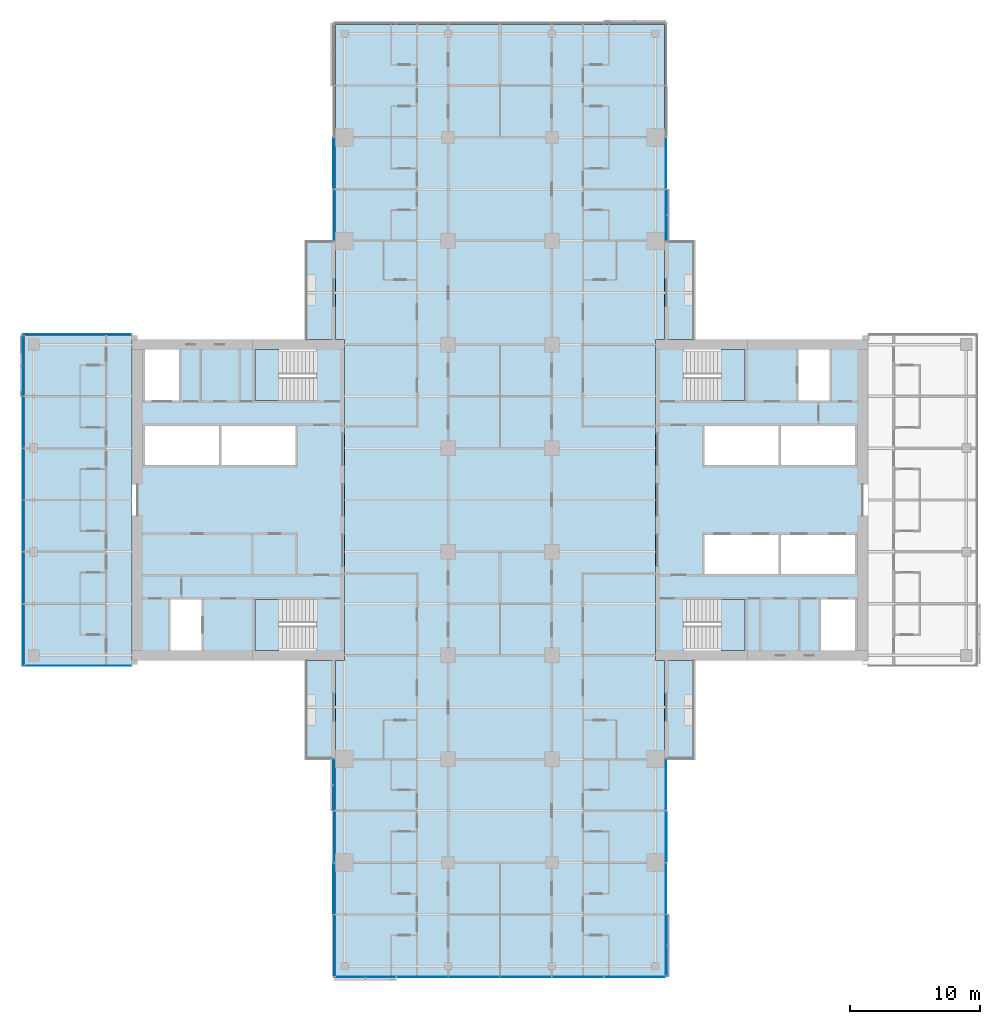
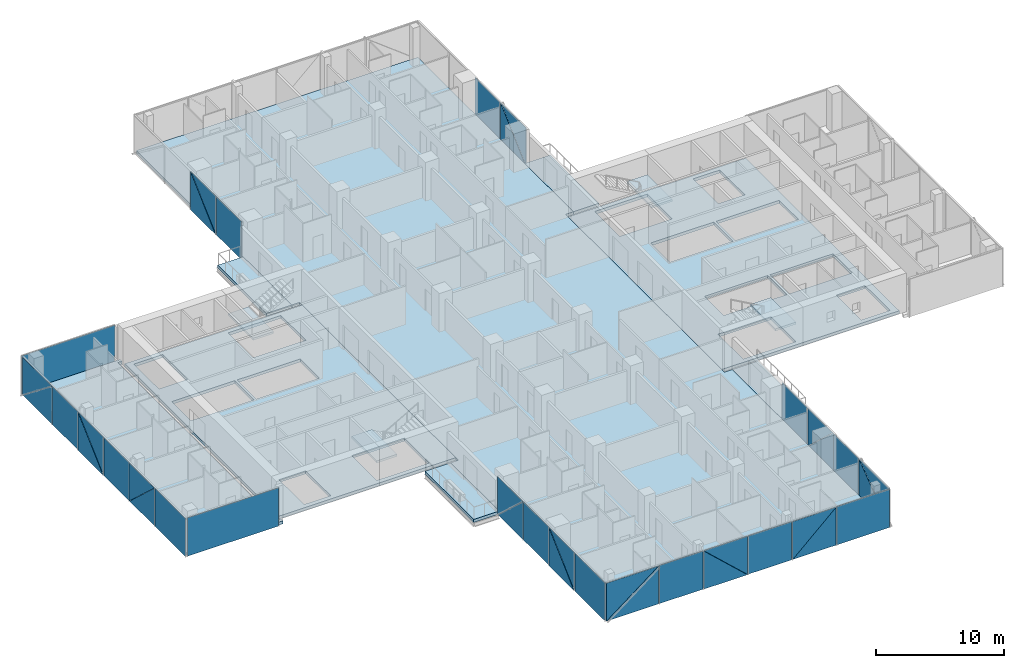
# One storey, part 13 of 29: 38 plates, 12 slabs, 12 elements without a shape of their own.
"""IFC4 building model written with IfcOpenShell, lengths in metres."""

from ifc_helpers import new_model, si_unit, direction, frame, origin, place, context, subcontext, project, spatial, polyline, outline, extrude, material, layer, layer_set, type_object, element, aggregate, save


model = new_model("IFC4")

# Units and contexts
model_context = context("Model", 3, precision=1e-05, world=origin(), true_north=direction((0.0, 1.0)))
body_context = subcontext(model_context, "Body", "Model", "MODEL_VIEW")
ifc_project = project(units=[si_unit("LENGTHUNIT", "METRE"), si_unit("AREAUNIT", "SQUARE_METRE"), si_unit("VOLUMEUNIT", "CUBIC_METRE"), si_unit("PLANEANGLEUNIT", "RADIAN"), si_unit("MASSUNIT", "GRAM", prefix="KILO")], contexts=[model_context])

# Site, building, storey
site_placement = place(None, origin())
site = spatial("IfcSite", under=ifc_project, at=site_placement, CompositionType="ELEMENT")
building_placement = place(site_placement, origin())
building = spatial("IfcBuilding", under=site, at=building_placement, Name="Crosswind Convention Tower", CompositionType="ELEMENT")
storey_placement = place(building_placement, frame((0.0, 0.0, 57.199951171875)))
storey = spatial("IfcBuildingStorey", under=building, at=storey_placement, Name="L08", CompositionType="ELEMENT", Elevation=57.199951171875)

# Slabs
ifc_material_1 = material(Name="Concrete C40/50", Category="concrete")
ifc_layer_1 = layer(ifc_material_1, 0.280029296875)
ifc_layer_set_1 = layer_set([ifc_layer_1], Name="Concrete C40/50")
slab_type_1 = type_object("IfcSlabType", Name="BALCONY SLAB 280", PredefinedType="USERDEFINED", material=ifc_layer_set_1)
slab_1_placement = place(storey_placement, frame((0.0, 0.0, -0.280029296875)))
element("IfcSlab", 1, at=slab_1_placement, inside=storey, type_object=slab_type_1, Name="BALCONY L08 N-E.1-1", ObjectType="BALCONY", PredefinedType="USERDEFINED", context=body_context, shape_type="SweptSolid", body=[
    extrude(outline(polyline([(137.699951171875, 112.39990234375), (137.699951171875, 120.0), (140.0, 120.0), (140.0, 112.39990234375), (137.699951171875, 112.39990234375)])), origin(), (0.0, 0.0, 1.0), 0.280029296875),
])
slab_2_placement = place(storey_placement, frame((0.0, 0.0, -0.280029296875)))
element("IfcSlab", 2, at=slab_2_placement, inside=storey, type_object=slab_type_1, Name="BALCONY L08 N-W.1-3", ObjectType="BALCONY", PredefinedType="USERDEFINED", context=body_context, shape_type="SweptSolid", body=[
    extrude(outline(polyline([(112.300048828125, 120.0), (112.300048828125, 112.39990234375), (110.0, 112.39990234375), (110.0, 120.0), (112.300048828125, 120.0)])), origin(), (0.0, 0.0, 1.0), 0.280029296875),
])
slab_3_placement = place(storey_placement, frame((0.0, 0.0, -0.280029296875)))
element("IfcSlab", 3, at=slab_3_placement, inside=storey, type_object=slab_type_1, Name="BALCONY L08 S-W.1-1", ObjectType="BALCONY", PredefinedType="USERDEFINED", context=body_context, shape_type="SweptSolid", body=[
    extrude(outline(polyline([(112.300048828125, 87.60009765625), (112.300048828125, 80.0), (110.0, 80.0), (110.0, 87.60009765625), (112.300048828125, 87.60009765625)])), origin(), (0.0, 0.0, 1.0), 0.280029296875),
])
slab_4_placement = place(storey_placement, frame((0.0, 0.0, -0.280029296875)))
element("IfcSlab", 4, at=slab_4_placement, inside=storey, type_object=slab_type_1, Name="BALCONY L08 S-E.1-3", ObjectType="BALCONY", PredefinedType="USERDEFINED", context=body_context, shape_type="SweptSolid", body=[
    extrude(outline(polyline([(137.699951171875, 80.0), (137.699951171875, 87.60009765625), (140.0, 87.60009765625), (140.0, 80.0), (137.699951171875, 80.0)])), origin(), (0.0, 0.0, 1.0), 0.280029296875),
])
ifc_layer_2 = layer(ifc_material_1, 0.280029296875)
ifc_layer_set_2 = layer_set([ifc_layer_2], Name="Concrete C40/50")
slab_type_2 = type_object("IfcSlabType", Name="Composite floor slab 280", PredefinedType="FLOOR", material=ifc_layer_set_2)
slab_5_placement = place(storey_placement, frame((0.0, 0.0, -0.280029296875)))
element("IfcSlab", 5, at=slab_5_placement, inside=storey, type_object=slab_type_2, Name="Floor slab L08 part 1", PredefinedType="FLOOR", context=body_context, shape_type="SweptSolid", body=[
    extrude(outline(polyline([(97.0, 87.300048828125), (89.0, 87.300048828125), (88.300048828125, 87.300048828125), (88.300048828125, 88.0), (88.300048828125, 112.0), (88.300048828125, 112.699951171875), (89.0, 112.699951171875), (97.0, 112.699951171875), (97.0, 112.39990234375), (96.60009765625, 112.39990234375), (96.60009765625, 87.60009765625), (97.0, 87.60009765625), (97.0, 87.300048828125)])), origin(), (0.0, 0.0, 1.0), 0.280029296875),
])
slab_6_placement = place(storey_placement, frame((0.0, 0.0, -0.280029296875)))
element("IfcSlab", 6, at=slab_6_placement, inside=storey, type_object=slab_type_2, Name="Floor slab L08 part 2", PredefinedType="FLOOR", context=body_context, shape_type="SweptSolid", body=[
    extrude(outline(polyline([(112.300048828125, 87.60009765625), (113.0, 87.60009765625), (113.0, 112.39990234375), (112.300048828125, 112.39990234375), (112.300048828125, 136.0), (112.300048828125, 136.699951171875), (113.0, 136.699951171875), (137.0, 136.699951171875), (137.699951171875, 136.699951171875), (137.699951171875, 136.0), (137.699951171875, 112.39990234375), (137.0, 112.39990234375), (137.0, 87.60009765625), (137.699951171875, 87.60009765625), (137.699951171875, 64.0), (137.699951171875, 63.300048828125), (137.0, 63.300048828125), (113.0, 63.300048828125), (112.300048828125, 63.300048828125), (112.300048828125, 64.0), (112.300048828125, 87.60009765625)])), origin(), (0.0, 0.0, 1.0), 0.280029296875),
])
ifc_layer_3 = layer(ifc_material_1, 0.280029296875)
ifc_layer_set_3 = layer_set([ifc_layer_3], Name="Concrete C40/50")
slab_type_3 = type_object("IfcSlabType", Name="Concrete core floor slab 280", PredefinedType="FLOOR", material=ifc_layer_set_3)
slab_7_placement = place(storey_placement, frame((0.0, 0.0, -0.280029296875)))
element("IfcSlab", 7, at=slab_7_placement, inside=storey, type_object=slab_type_3, Name="Core floor slab E L08", PredefinedType="FLOOR", context=body_context, shape_type="SweptSolid", body=[
    extrude(outline(polyline([(137.0, 88.0), (153.0, 88.0), (153.0, 112.0), (137.0, 112.0), (137.0, 88.0)]), holes=[polyline([(146.5, 102.699951171875), (146.5, 105.699951171875), (140.800048828125, 105.699951171875), (140.800048828125, 102.699951171875), (146.5, 102.699951171875)]), polyline([(152.39990234375, 102.699951171875), (152.39990234375, 105.699951171875), (146.699951171875, 105.699951171875), (146.699951171875, 102.699951171875), (152.39990234375, 102.699951171875)]), polyline([(146.5, 94.300048828125), (146.5, 97.300048828125), (140.800048828125, 97.300048828125), (140.800048828125, 94.300048828125), (146.5, 94.300048828125)]), polyline([(152.39990234375, 94.300048828125), (152.39990234375, 97.300048828125), (146.699951171875, 97.300048828125), (146.699951171875, 94.300048828125), (152.39990234375, 94.300048828125)]), polyline([(150.449951171875, 107.699951171875), (150.449951171875, 111.60009765625), (148.050048828125, 111.60009765625), (148.050048828125, 107.699951171875), (150.449951171875, 107.699951171875)]), polyline([(152.39990234375, 88.39990234375), (152.39990234375, 92.300048828125), (149.800048828125, 92.300048828125), (149.800048828125, 88.39990234375), (152.39990234375, 88.39990234375)]), polyline([(143.89990234375, 107.699951171875), (143.89990234375, 111.60009765625), (139.14990234375, 111.60009765625), (139.14990234375, 107.699951171875), (143.89990234375, 107.699951171875)]), polyline([(143.89990234375, 88.39990234375), (143.89990234375, 92.300048828125), (139.14990234375, 92.300048828125), (139.14990234375, 88.39990234375), (143.89990234375, 88.39990234375)])]), origin(), (0.0, 0.0, 1.0), 0.280029296875),
])
slab_8_placement = place(storey_placement, frame((0.0, 0.0, -0.280029296875)))
element("IfcSlab", 8, at=slab_8_placement, inside=storey, type_object=slab_type_3, Name="Core floor slab W L08", PredefinedType="FLOOR", context=body_context, shape_type="SweptSolid", body=[
    extrude(outline(polyline([(97.0, 88.0), (113.0, 88.0), (113.0, 112.0), (97.0, 112.0), (97.0, 88.0)]), holes=[polyline([(109.199951171875, 102.699951171875), (109.199951171875, 105.699951171875), (103.5, 105.699951171875), (103.5, 102.699951171875), (109.199951171875, 102.699951171875)]), polyline([(103.300048828125, 102.699951171875), (103.300048828125, 105.699951171875), (97.60009765625, 105.699951171875), (97.60009765625, 102.699951171875), (103.300048828125, 102.699951171875)]), polyline([(101.949951171875, 88.39990234375), (101.949951171875, 92.300048828125), (99.550048828125, 92.300048828125), (99.550048828125, 88.39990234375), (101.949951171875, 88.39990234375)]), polyline([(100.199951171875, 107.699951171875), (100.199951171875, 111.60009765625), (97.60009765625, 111.60009765625), (97.60009765625, 107.699951171875), (100.199951171875, 107.699951171875)]), polyline([(110.85009765625, 88.39990234375), (110.85009765625, 92.300048828125), (106.10009765625, 92.300048828125), (106.10009765625, 88.39990234375), (110.85009765625, 88.39990234375)]), polyline([(110.85009765625, 107.699951171875), (110.85009765625, 111.60009765625), (106.10009765625, 111.60009765625), (106.10009765625, 107.699951171875), (110.85009765625, 107.699951171875)])]), origin(), (0.0, 0.0, 1.0), 0.280029296875),
])

# Stair, slab
stair_type = type_object("IfcStairType", Name="Exit stair 1800 wide, 2 flights of 11 risers", PredefinedType="HALF_TURN_STAIR", material=ifc_material_1)
stair_1_placement = place(storey_placement, origin())
stair_1 = element("IfcStair", 9, at=stair_1_placement, inside=storey, type_object=stair_type, Name="Exit stair ST1 L08", ObjectType="ST5", PredefinedType="HALF_TURN_STAIR")
ifc_layer_4 = layer(ifc_material_1, 0.199951171875)
ifc_layer_set_4 = layer_set([ifc_layer_4], Name="Concrete C40/50")
slab_type_4 = type_object("IfcSlabType", Name="Stair landing 200", PredefinedType="LANDING", material=ifc_layer_set_4)
slab_9_placement = place(storey_placement, frame((0.0, 0.0, 1.650146484375)))
slab_9 = element("IfcSlab", 10, at=slab_9_placement, type_object=slab_type_4, Name="ST1 landing 1", PredefinedType="LANDING", context=body_context, shape_type="SweptSolid", body=[
    extrude(outline(polyline([(143.89990234375, 107.699951171875), (143.89990234375, 111.60009765625), (142.050048828125, 111.60009765625), (142.050048828125, 107.699951171875), (143.89990234375, 107.699951171875)])), origin(), (0.0, 0.0, 1.0), 0.199951171875),
])
aggregate(stair_1, [slab_9])

stair_2_placement = place(storey_placement, origin())
stair_2 = element("IfcStair", 11, at=stair_2_placement, inside=storey, type_object=stair_type, Name="Exit stair ST2 L08", ObjectType="ST5", PredefinedType="HALF_TURN_STAIR")
slab_10_placement = place(storey_placement, frame((0.0, 0.0, 1.650146484375)))
slab_10 = element("IfcSlab", 12, at=slab_10_placement, type_object=slab_type_4, Name="ST2 landing 1", PredefinedType="LANDING", context=body_context, shape_type="SweptSolid", body=[
    extrude(outline(polyline([(143.89990234375, 88.39990234375), (143.89990234375, 92.300048828125), (142.050048828125, 92.300048828125), (142.050048828125, 88.39990234375), (143.89990234375, 88.39990234375)])), origin(), (0.0, 0.0, 1.0), 0.199951171875),
])
aggregate(stair_2, [slab_10])

stair_3_placement = place(storey_placement, origin())
stair_3 = element("IfcStair", 13, at=stair_3_placement, inside=storey, type_object=stair_type, Name="Exit stair ST3 L08", ObjectType="ST5", PredefinedType="HALF_TURN_STAIR")
slab_11_placement = place(storey_placement, frame((0.0, 0.0, 1.650146484375)))
slab_11 = element("IfcSlab", 14, at=slab_11_placement, type_object=slab_type_4, Name="ST3 landing 1", PredefinedType="LANDING", context=body_context, shape_type="SweptSolid", body=[
    extrude(outline(polyline([(107.949951171875, 88.39990234375), (107.949951171875, 92.300048828125), (106.10009765625, 92.300048828125), (106.10009765625, 88.39990234375), (107.949951171875, 88.39990234375)])), origin(), (0.0, 0.0, 1.0), 0.199951171875),
])
aggregate(stair_3, [slab_11])

stair_4_placement = place(storey_placement, origin())
stair_4 = element("IfcStair", 15, at=stair_4_placement, inside=storey, type_object=stair_type, Name="Exit stair ST4 L08", ObjectType="ST5", PredefinedType="HALF_TURN_STAIR")
slab_12_placement = place(storey_placement, frame((0.0, 0.0, 1.650146484375)))
slab_12 = element("IfcSlab", 16, at=slab_12_placement, type_object=slab_type_4, Name="ST4 landing 1", PredefinedType="LANDING", context=body_context, shape_type="SweptSolid", body=[
    extrude(outline(polyline([(107.949951171875, 107.699951171875), (107.949951171875, 111.60009765625), (106.10009765625, 111.60009765625), (106.10009765625, 107.699951171875), (107.949951171875, 107.699951171875)])), origin(), (0.0, 0.0, 1.0), 0.199951171875),
])
aggregate(stair_4, [slab_12])

# Curtain wall, plate
ifc_material_2 = material(Name="Aluminium unitised curtain wall", Category="aluminium")
curtain_wall_type_1 = type_object("IfcCurtainWallType", Name="CORE END SLOT WALL 160", PredefinedType="USERDEFINED", material=ifc_material_2)
curtain_wall_1_placement = place(storey_placement, origin())
curtain_wall_1 = element("IfcCurtainWall", 17, at=curtain_wall_1_placement, inside=storey, type_object=curtain_wall_type_1, Name="CW6 L08 W-N.2-1 slot", ObjectType="UNITISED", PredefinedType="USERDEFINED")
ifc_material_3 = material(Name="Laminated insulating glass unit", Category="glass")
ifc_layer_5 = layer(ifc_material_3, 0.02587890625)
ifc_layer_set_5 = layer_set([ifc_layer_5], Name="TRIANGULAR GLASS PANEL 26")
plate_type_1 = type_object("IfcPlateType", Name="TRIANGULAR GLASS PANEL 26", PredefinedType="CURTAIN_PANEL", material=ifc_layer_set_5)
plate_1_placement = place(storey_placement, frame((96.550048828125, 112.806640625, -0.280029296875), z_axis=(0.0, 0.999999919475, 0.000401310917), x_axis=(-1.0, 0.0, 0.0)))
plate_1 = element("IfcPlate", 18, at=plate_1_placement, type_object=plate_type_1, Name="CW6 panel 1.1", PredefinedType="CURTAIN_PANEL", context=body_context, shape_type="SweptSolid", body=[
    extrude(outline(polyline([(0.0, 0.0), (8.400146484375, 0.0), (8.400146484375, 3.6501467783039057), (0.0, 3.6501467783039057), (0.0, 0.0)])), origin(), (0.0, 0.0, -1.0), 0.02587890625),
])
aggregate(curtain_wall_1, [plate_1])

curtain_wall_2_placement = place(storey_placement, origin())
curtain_wall_2 = element("IfcCurtainWall", 19, at=curtain_wall_2_placement, inside=storey, type_object=curtain_wall_type_1, Name="CW6 L08 W-S.1-1 slot", ObjectType="UNITISED", PredefinedType="USERDEFINED")
plate_2_placement = place(storey_placement, frame((88.35009765625, 87.193359375, -0.280029296875), z_axis=(0.0, -0.999999919475, 0.000401310917), x_axis=(1.0, 0.0, 0.0)))
plate_2 = element("IfcPlate", 20, at=plate_2_placement, type_object=plate_type_1, Name="CW6 panel 1.1", PredefinedType="CURTAIN_PANEL", context=body_context, shape_type="SweptSolid", body=[
    extrude(outline(polyline([(0.0, 0.0), (8.199951171875, 0.0), (8.199951171875, 3.650146778303906), (0.0, 3.650146778303906), (0.0, 0.0)])), origin(), (0.0, 0.0, -1.0), 0.02587890625),
])
aggregate(curtain_wall_2, [plate_2])

# Curtain wall, plates
curtain_wall_type_2 = type_object("IfcCurtainWallType", Name="HOTEL UNITISED WALL 200", PredefinedType="USERDEFINED", material=ifc_material_2)
curtain_wall_3_placement = place(storey_placement, origin())
curtain_wall_3 = element("IfcCurtainWall", 21, at=curtain_wall_3_placement, inside=storey, type_object=curtain_wall_type_2, Name="CW2 L08 N-E 1", ObjectType="UNITISED", PredefinedType="USERDEFINED")
ifc_layer_6 = layer(ifc_material_3, 0.028076171875)
ifc_layer_set_6 = layer_set([ifc_layer_6], Name="TRIANGULAR GLASS PANEL 28")
plate_type_2 = type_object("IfcPlateType", Name="TRIANGULAR GLASS PANEL 28", PredefinedType="CURTAIN_PANEL", material=ifc_layer_set_6)
plate_3_placement = place(storey_placement, frame((137.82861328125, 123.967529296875, -0.280029296875), z_axis=(0.999999943194, 0.0, 0.000337063484), x_axis=(-0.000337063484, 0.0, 0.999999943194)))
plate_3 = element("IfcPlate", 22, at=plate_3_placement, type_object=plate_type_2, Name="CW2 panel 1.1", PredefinedType="CURTAIN_PANEL", context=body_context, shape_type="SweptSolid", body=[
    extrude(outline(polyline([(0.0, 0.0), (3.62158223697723, 0.0), (0.0, 3.920410156250001), (0.0, 0.0)])), origin(), (0.0, 0.0, -1.0), 0.028076171875),
])
plate_4_placement = place(storey_placement, frame((137.857177734375, 120.032470703125, 3.35498046875), z_axis=(0.999999918188, 0.0, 0.000404503439), x_axis=(0.000404503439, 0.0, -0.999999918188)))
plate_4 = element("IfcPlate", 23, at=plate_4_placement, type_object=plate_type_2, Name="CW2 panel 1.2", PredefinedType="CURTAIN_PANEL", context=body_context, shape_type="SweptSolid", body=[
    extrude(outline(polyline([(0.0, 0.0), (3.6213381868921797, 0.0), (0.0, 3.92041015625), (0.0, 0.0)])), origin(), (0.0, 0.0, -1.0), 0.028076171875),
])
plate_5_placement = place(storey_placement, frame((137.82861328125, 124.032470703125, -0.280029296875), z_axis=(0.999999943613, 0.0, 0.00033581837), x_axis=(0.0, 1.0, 0.0)))
plate_5 = element("IfcPlate", 24, at=plate_5_placement, type_object=plate_type_2, Name="CW2 panel 2.1", PredefinedType="CURTAIN_PANEL", context=body_context, shape_type="SweptSolid", body=[
    extrude(outline(polyline([(0.0, 0.0), (3.93505859375, 0.0), (3.93505859375, 3.635009970592273), (0.0, 3.635009970592273), (0.0, 0.0)])), origin(), (0.0, 0.0, -1.0), 0.028076171875),
])
aggregate(curtain_wall_3, [plate_3, plate_4, plate_5])

curtain_wall_4_placement = place(storey_placement, origin())
curtain_wall_4 = element("IfcCurtainWall", 25, at=curtain_wall_4_placement, inside=storey, type_object=curtain_wall_type_2, Name="CW2 L08 N-W 1", ObjectType="UNITISED", PredefinedType="USERDEFINED")
plate_6_placement = place(storey_placement, frame((112.172607421875, 124.032470703125, 3.35498046875), z_axis=(-0.999999943186, 0.0, 0.000337086208), x_axis=(0.0, 1.0, 0.0)))
plate_6 = element("IfcPlate", 26, at=plate_6_placement, type_object=plate_type_2, Name="CW2 panel 3.1", PredefinedType="CURTAIN_PANEL", context=body_context, shape_type="SweptSolid", body=[
    extrude(outline(polyline([(0.0, 0.0), (3.92041015625, 0.0), (0.0, 3.6213380963660997), (0.0, 0.0)])), origin(), (0.0, 0.0, -1.0), 0.028076171875),
])
plate_7_placement = place(storey_placement, frame((112.141357421875, 127.967529296875, -0.280029296875), z_axis=(-0.9999999182, 0.0, 0.00040447617), x_axis=(0.0, -1.0, 0.0)))
plate_7 = element("IfcPlate", 27, at=plate_7_placement, type_object=plate_type_2, Name="CW2 panel 3.2", PredefinedType="CURTAIN_PANEL", context=body_context, shape_type="SweptSolid", body=[
    extrude(outline(polyline([(0.0, 0.0), (3.92041015625, 0.0), (0.0, 3.621582327497207), (0.0, 0.0)])), origin(), (0.0, 0.0, -1.0), 0.028076171875),
])
plate_8_placement = place(storey_placement, frame((112.17138671875, 123.967529296875, -0.280029296875), z_axis=(-0.999999943613, 0.0, 0.00033581837), x_axis=(0.0, -1.0, 0.0)))
plate_8 = element("IfcPlate", 28, at=plate_8_placement, type_object=plate_type_2, Name="CW2 panel 4.1", PredefinedType="CURTAIN_PANEL", context=body_context, shape_type="SweptSolid", body=[
    extrude(outline(polyline([(0.0, 0.0), (3.93505859375, 0.0), (3.93505859375, 3.635009970592273), (0.0, 3.635009970592273), (0.0, 0.0)])), origin(), (0.0, 0.0, -1.0), 0.028076171875),
])
aggregate(curtain_wall_4, [plate_6, plate_7, plate_8])

curtain_wall_5_placement = place(storey_placement, origin())
curtain_wall_5 = element("IfcCurtainWall", 29, at=curtain_wall_5_placement, inside=storey, type_object=curtain_wall_type_2, Name="CW2 L08 W-TIP 1", ObjectType="UNITISED", PredefinedType="USERDEFINED")
plate_9_placement = place(storey_placement, frame((88.17138671875, 108.032470703125, -0.280029296875), z_axis=(-0.999999943217, 0.0, 0.00033699533), x_axis=(0.00033699533, 0.0, 0.999999943217)))
plate_9 = element("IfcPlate", 30, at=plate_9_placement, type_object=plate_type_2, Name="CW2 panel 1.1", PredefinedType="CURTAIN_PANEL", context=body_context, shape_type="SweptSolid", body=[
    extrude(outline(polyline([(0.0, 0.0), (3.6223146588106325, 0.0), (0.0, 4.58642578125), (0.0, 0.0)])), origin(), (0.0, 0.0, -1.0), 0.028076171875),
])
plate_10_placement = place(storey_placement, frame((88.142822265625, 112.635009765625, 3.35498046875), z_axis=(-0.999999918222, 0.0, 0.000404421644), x_axis=(-0.000404421644, 0.0, -0.999999918222)))
plate_10 = element("IfcPlate", 31, at=plate_10_placement, type_object=plate_type_2, Name="CW2 panel 1.2", PredefinedType="CURTAIN_PANEL", context=body_context, shape_type="SweptSolid", body=[
    extrude(outline(polyline([(0.0, 0.0), (3.6220706087072707, 0.0), (0.0, 4.586425781249999), (0.0, 0.0)])), origin(), (0.0, 0.0, -1.0), 0.028076171875),
])
plate_11_placement = place(storey_placement, frame((88.17138671875, 107.967529296875, -0.280029296875), z_axis=(-0.999999943613, 0.0, 0.00033581837), x_axis=(0.0, -1.0, 0.0)))
plate_11 = element("IfcPlate", 32, at=plate_11_placement, type_object=plate_type_2, Name="CW2 panel 2.1", PredefinedType="CURTAIN_PANEL", context=body_context, shape_type="SweptSolid", body=[
    extrude(outline(polyline([(0.0, 0.0), (3.93505859375, 0.0), (3.93505859375, 3.635009970592273), (0.0, 3.635009970592273), (0.0, 0.0)])), origin(), (0.0, 0.0, -1.0), 0.028076171875),
])
plate_12_placement = place(storey_placement, frame((88.172607421875, 100.032470703125, 3.35498046875), z_axis=(-0.999999943186, 0.0, 0.000337086208), x_axis=(0.0, 1.0, 0.0)))
plate_12 = element("IfcPlate", 33, at=plate_12_placement, type_object=plate_type_2, Name="CW2 panel 3.1", PredefinedType="CURTAIN_PANEL", context=body_context, shape_type="SweptSolid", body=[
    extrude(outline(polyline([(0.0, 0.0), (3.92041015625, 0.0), (0.0, 3.6213380963660997), (0.0, 0.0)])), origin(), (0.0, 0.0, -1.0), 0.028076171875),
])
plate_13_placement = place(storey_placement, frame((88.141357421875, 103.967529296875, -0.280029296875), z_axis=(-0.9999999182, 0.0, 0.00040447617), x_axis=(0.0, -1.0, 0.0)))
plate_13 = element("IfcPlate", 34, at=plate_13_placement, type_object=plate_type_2, Name="CW2 panel 3.2", PredefinedType="CURTAIN_PANEL", context=body_context, shape_type="SweptSolid", body=[
    extrude(outline(polyline([(0.0, 0.0), (3.92041015625, 0.0), (0.0, 3.621582327497207), (0.0, 0.0)])), origin(), (0.0, 0.0, -1.0), 0.028076171875),
])
plate_14_placement = place(storey_placement, frame((88.17138671875, 99.967529296875, -0.280029296875), z_axis=(-0.999999943613, 0.0, 0.00033581837), x_axis=(0.0, -1.0, 0.0)))
plate_14 = element("IfcPlate", 35, at=plate_14_placement, type_object=plate_type_2, Name="CW2 panel 4.1", PredefinedType="CURTAIN_PANEL", context=body_context, shape_type="SweptSolid", body=[
    extrude(outline(polyline([(0.0, 0.0), (3.93505859375, 0.0), (3.93505859375, 3.635009970592273), (0.0, 3.635009970592273), (0.0, 0.0)])), origin(), (0.0, 0.0, -1.0), 0.028076171875),
])
plate_15_placement = place(storey_placement, frame((88.17138671875, 92.032470703125, -0.280029296875), z_axis=(-0.999999943194, 0.0, 0.000337063484), x_axis=(0.000337063484, 0.0, 0.999999943194)))
plate_15 = element("IfcPlate", 36, at=plate_15_placement, type_object=plate_type_2, Name="CW2 panel 5.1", PredefinedType="CURTAIN_PANEL", context=body_context, shape_type="SweptSolid", body=[
    extrude(outline(polyline([(0.0, 0.0), (3.62158223697723, 0.0), (0.0, 3.920410156250001), (0.0, 0.0)])), origin(), (0.0, 0.0, -1.0), 0.028076171875),
])
plate_16_placement = place(storey_placement, frame((88.142822265625, 95.967529296875, 3.35498046875), z_axis=(-0.999999918188, 0.0, 0.000404503439), x_axis=(-0.000404503439, 0.0, -0.999999918188)))
plate_16 = element("IfcPlate", 37, at=plate_16_placement, type_object=plate_type_2, Name="CW2 panel 5.2", PredefinedType="CURTAIN_PANEL", context=body_context, shape_type="SweptSolid", body=[
    extrude(outline(polyline([(0.0, 0.0), (3.6213381868921797, 0.0), (0.0, 3.92041015625), (0.0, 0.0)])), origin(), (0.0, 0.0, -1.0), 0.028076171875),
])
plate_17_placement = place(storey_placement, frame((88.17138671875, 91.967529296875, -0.280029296875), z_axis=(-0.999999943613, 0.0, 0.00033581837), x_axis=(0.0, -1.0, 0.0)))
plate_17 = element("IfcPlate", 38, at=plate_17_placement, type_object=plate_type_2, Name="CW2 panel 6.1", PredefinedType="CURTAIN_PANEL", context=body_context, shape_type="SweptSolid", body=[
    extrude(outline(polyline([(0.0, 0.0), (4.762451171875, 0.0), (4.762451171875, 3.635009970592273), (0.0, 3.635009970592273), (0.0, 0.0)])), origin(), (0.0, 0.0, -1.0), 0.028076171875),
])
aggregate(curtain_wall_5, [plate_9, plate_10, plate_11, plate_12, plate_13, plate_14, plate_15, plate_16, plate_17])

curtain_wall_6_placement = place(storey_placement, origin())
curtain_wall_6 = element("IfcCurtainWall", 39, at=curtain_wall_6_placement, inside=storey, type_object=curtain_wall_type_2, Name="CW2 L08 S-W 1", ObjectType="UNITISED", PredefinedType="USERDEFINED")
plate_18_placement = place(storey_placement, frame((112.17138671875, 76.032470703125, -0.280029296875), z_axis=(-0.999999943194, 0.0, 0.000337063484), x_axis=(0.000337063484, 0.0, 0.999999943194)))
plate_18 = element("IfcPlate", 40, at=plate_18_placement, type_object=plate_type_2, Name="CW2 panel 1.1", PredefinedType="CURTAIN_PANEL", context=body_context, shape_type="SweptSolid", body=[
    extrude(outline(polyline([(0.0, 0.0), (3.62158223697723, 0.0), (0.0, 3.920410156250001), (0.0, 0.0)])), origin(), (0.0, 0.0, -1.0), 0.028076171875),
])
plate_19_placement = place(storey_placement, frame((112.142822265625, 79.967529296875, 3.35498046875), z_axis=(-0.999999918188, 0.0, 0.000404503439), x_axis=(-0.000404503439, 0.0, -0.999999918188)))
plate_19 = element("IfcPlate", 41, at=plate_19_placement, type_object=plate_type_2, Name="CW2 panel 1.2", PredefinedType="CURTAIN_PANEL", context=body_context, shape_type="SweptSolid", body=[
    extrude(outline(polyline([(0.0, 0.0), (3.6213381868921797, 0.0), (0.0, 3.92041015625), (0.0, 0.0)])), origin(), (0.0, 0.0, -1.0), 0.028076171875),
])
plate_20_placement = place(storey_placement, frame((112.17138671875, 75.967529296875, -0.280029296875), z_axis=(-0.999999943613, 0.0, 0.00033581837), x_axis=(0.0, -1.0, 0.0)))
plate_20 = element("IfcPlate", 42, at=plate_20_placement, type_object=plate_type_2, Name="CW2 panel 2.1", PredefinedType="CURTAIN_PANEL", context=body_context, shape_type="SweptSolid", body=[
    extrude(outline(polyline([(0.0, 0.0), (3.93505859375, 0.0), (3.93505859375, 3.635009970592273), (0.0, 3.635009970592273), (0.0, 0.0)])), origin(), (0.0, 0.0, -1.0), 0.028076171875),
])
plate_21_placement = place(storey_placement, frame((112.172607421875, 68.032470703125, 3.35498046875), z_axis=(-0.999999943186, 0.0, 0.000337086208), x_axis=(0.0, 1.0, 0.0)))
plate_21 = element("IfcPlate", 43, at=plate_21_placement, type_object=plate_type_2, Name="CW2 panel 3.1", PredefinedType="CURTAIN_PANEL", context=body_context, shape_type="SweptSolid", body=[
    extrude(outline(polyline([(0.0, 0.0), (3.92041015625, 0.0), (0.0, 3.6213380963660997), (0.0, 0.0)])), origin(), (0.0, 0.0, -1.0), 0.028076171875),
])
plate_22_placement = place(storey_placement, frame((112.141357421875, 71.967529296875, -0.280029296875), z_axis=(-0.9999999182, 0.0, 0.00040447617), x_axis=(0.0, -1.0, 0.0)))
plate_22 = element("IfcPlate", 44, at=plate_22_placement, type_object=plate_type_2, Name="CW2 panel 3.2", PredefinedType="CURTAIN_PANEL", context=body_context, shape_type="SweptSolid", body=[
    extrude(outline(polyline([(0.0, 0.0), (3.92041015625, 0.0), (0.0, 3.621582327497207), (0.0, 0.0)])), origin(), (0.0, 0.0, -1.0), 0.028076171875),
])
plate_23_placement = place(storey_placement, frame((112.17138671875, 67.967529296875, -0.280029296875), z_axis=(-0.999999943613, 0.0, 0.00033581837), x_axis=(0.0, -1.0, 0.0)))
plate_23 = element("IfcPlate", 45, at=plate_23_placement, type_object=plate_type_2, Name="CW2 panel 4.1", PredefinedType="CURTAIN_PANEL", context=body_context, shape_type="SweptSolid", body=[
    extrude(outline(polyline([(0.0, 0.0), (4.735107421875, 0.0), (4.735107421875, 3.6350099705922725), (0.0, 3.6350099705922725), (0.0, 0.0)])), origin(), (0.0, 0.0, -1.0), 0.028076171875),
])
aggregate(curtain_wall_6, [plate_18, plate_19, plate_20, plate_21, plate_22, plate_23])

curtain_wall_7_placement = place(storey_placement, origin())
curtain_wall_7 = element("IfcCurtainWall", 46, at=curtain_wall_7_placement, inside=storey, type_object=curtain_wall_type_2, Name="CW2 L08 S-TIP 1", ObjectType="UNITISED", PredefinedType="USERDEFINED")
plate_24_placement = place(storey_placement, frame((116.967529296875, 63.17138671875, -0.280029296875), z_axis=(0.0, -0.999999943225, 0.000336972619), x_axis=(0.0, 0.000336972619, 0.999999943225)))
plate_24 = element("IfcPlate", 47, at=plate_24_placement, type_object=plate_type_2, Name="CW2 panel 1.1", PredefinedType="CURTAIN_PANEL", context=body_context, shape_type="SweptSolid", body=[
    extrude(outline(polyline([(0.0, 0.0), (3.6225587994217703, 0.0), (0.0, 4.718505859374999), (0.0, 0.0)])), origin(), (0.0, 0.0, -1.0), 0.028076171875),
])
plate_25_placement = place(storey_placement, frame((112.232421875, 63.142822265625, 3.35498046875), z_axis=(0.0, -0.999999918233, 0.000404394386), x_axis=(0.0, -0.000404394386, -0.999999918233)))
plate_25 = element("IfcPlate", 48, at=plate_25_placement, type_object=plate_type_2, Name="CW2 panel 1.2", PredefinedType="CURTAIN_PANEL", context=body_context, shape_type="SweptSolid", body=[
    extrude(outline(polyline([(0.0, 0.0), (3.6223147493123067, 0.0), (0.0, 4.71875), (0.0, 0.0)])), origin(), (0.0, 0.0, -1.0), 0.028076171875),
])
plate_26_placement = place(storey_placement, frame((117.032470703125, 63.17138671875, -0.280029296875), z_axis=(0.0, -0.999999943613, 0.00033581837), x_axis=(1.0, 0.0, 0.0)))
plate_26 = element("IfcPlate", 49, at=plate_26_placement, type_object=plate_type_2, Name="CW2 panel 2.1", PredefinedType="CURTAIN_PANEL", context=body_context, shape_type="SweptSolid", body=[
    extrude(outline(polyline([(0.0, 0.0), (3.93505859375, 0.0), (3.93505859375, 3.635009970592273), (0.0, 3.635009970592273), (0.0, 0.0)])), origin(), (0.0, 0.0, -1.0), 0.028076171875),
])
plate_27_placement = place(storey_placement, frame((124.967529296875, 63.172607421875, 3.35498046875), z_axis=(0.0, -0.999999943186, 0.000337086208), x_axis=(-1.0, 0.0, 0.0)))
plate_27 = element("IfcPlate", 50, at=plate_27_placement, type_object=plate_type_2, Name="CW2 panel 3.1", PredefinedType="CURTAIN_PANEL", context=body_context, shape_type="SweptSolid", body=[
    extrude(outline(polyline([(0.0, 0.0), (3.92041015625, 0.0), (0.0, 3.6213380963660997), (0.0, 0.0)])), origin(), (0.0, 0.0, -1.0), 0.028076171875),
])
plate_28_placement = place(storey_placement, frame((121.032470703125, 63.141357421875, -0.280029296875), z_axis=(0.0, -0.9999999182, 0.00040447617), x_axis=(1.0, 0.0, 0.0)))
plate_28 = element("IfcPlate", 51, at=plate_28_placement, type_object=plate_type_2, Name="CW2 panel 3.2", PredefinedType="CURTAIN_PANEL", context=body_context, shape_type="SweptSolid", body=[
    extrude(outline(polyline([(0.0, 0.0), (3.92041015625, 0.0), (0.0, 3.621582327497207), (0.0, 0.0)])), origin(), (0.0, 0.0, -1.0), 0.028076171875),
])
plate_29_placement = place(storey_placement, frame((125.032470703125, 63.17138671875, -0.280029296875), z_axis=(0.0, -0.999999943613, 0.00033581837), x_axis=(1.0, 0.0, 0.0)))
plate_29 = element("IfcPlate", 52, at=plate_29_placement, type_object=plate_type_2, Name="CW2 panel 4.1", PredefinedType="CURTAIN_PANEL", context=body_context, shape_type="SweptSolid", body=[
    extrude(outline(polyline([(0.0, 0.0), (3.93505859375, 0.0), (3.93505859375, 3.635009970592273), (0.0, 3.635009970592273), (0.0, 0.0)])), origin(), (0.0, 0.0, -1.0), 0.028076171875),
])
plate_30_placement = place(storey_placement, frame((132.967529296875, 63.17138671875, -0.280029296875), z_axis=(0.0, -0.999999943194, 0.000337063484), x_axis=(0.0, 0.000337063484, 0.999999943194)))
plate_30 = element("IfcPlate", 53, at=plate_30_placement, type_object=plate_type_2, Name="CW2 panel 5.1", PredefinedType="CURTAIN_PANEL", context=body_context, shape_type="SweptSolid", body=[
    extrude(outline(polyline([(0.0, 0.0), (3.62158223697723, 0.0), (0.0, 3.920410156250001), (0.0, 0.0)])), origin(), (0.0, 0.0, -1.0), 0.028076171875),
])
plate_31_placement = place(storey_placement, frame((129.032470703125, 63.142822265625, 3.35498046875), z_axis=(0.0, -0.999999918188, 0.000404503439), x_axis=(0.0, -0.000404503439, -0.999999918188)))
plate_31 = element("IfcPlate", 54, at=plate_31_placement, type_object=plate_type_2, Name="CW2 panel 5.2", PredefinedType="CURTAIN_PANEL", context=body_context, shape_type="SweptSolid", body=[
    extrude(outline(polyline([(0.0, 0.0), (3.6213381868921797, 0.0), (0.0, 3.92041015625), (0.0, 0.0)])), origin(), (0.0, 0.0, -1.0), 0.028076171875),
])
plate_32_placement = place(storey_placement, frame((133.032470703125, 63.17138671875, -0.280029296875), z_axis=(0.0, -0.999999943613, 0.00033581837), x_axis=(1.0, 0.0, 0.0)))
plate_32 = element("IfcPlate", 55, at=plate_32_placement, type_object=plate_type_2, Name="CW2 panel 6.1", PredefinedType="CURTAIN_PANEL", context=body_context, shape_type="SweptSolid", body=[
    extrude(outline(polyline([(0.0, 0.0), (4.735107421875, 0.0), (4.735107421875, 3.6350099705922725), (0.0, 3.6350099705922725), (0.0, 0.0)])), origin(), (0.0, 0.0, -1.0), 0.028076171875),
])
aggregate(curtain_wall_7, [plate_24, plate_25, plate_26, plate_27, plate_28, plate_29, plate_30, plate_31, plate_32])

curtain_wall_8_placement = place(storey_placement, origin())
curtain_wall_8 = element("IfcCurtainWall", 56, at=curtain_wall_8_placement, inside=storey, type_object=curtain_wall_type_2, Name="CW2 L08 S-E 1", ObjectType="UNITISED", PredefinedType="USERDEFINED")
plate_33_placement = place(storey_placement, frame((137.82861328125, 67.967529296875, -0.280029296875), z_axis=(0.999999943225, 0.0, 0.000336972619), x_axis=(-0.000336972619, 0.0, 0.999999943225)))
plate_33 = element("IfcPlate", 57, at=plate_33_placement, type_object=plate_type_2, Name="CW2 panel 1.1", PredefinedType="CURTAIN_PANEL", context=body_context, shape_type="SweptSolid", body=[
    extrude(outline(polyline([(0.0, 0.0), (3.6225587994217703, 0.0), (0.0, 4.718505859374999), (0.0, 0.0)])), origin(), (0.0, 0.0, -1.0), 0.028076171875),
])
plate_34_placement = place(storey_placement, frame((137.857177734375, 63.232421875, 3.35498046875), z_axis=(0.999999918233, 0.0, 0.000404394386), x_axis=(0.000404394386, 0.0, -0.999999918233)))
plate_34 = element("IfcPlate", 58, at=plate_34_placement, type_object=plate_type_2, Name="CW2 panel 1.2", PredefinedType="CURTAIN_PANEL", context=body_context, shape_type="SweptSolid", body=[
    extrude(outline(polyline([(0.0, 0.0), (3.6223147493123067, 0.0), (0.0, 4.71875), (0.0, 0.0)])), origin(), (0.0, 0.0, -1.0), 0.028076171875),
])
plate_35_placement = place(storey_placement, frame((137.82861328125, 68.032470703125, -0.280029296875), z_axis=(0.999999943613, 0.0, 0.00033581837), x_axis=(0.0, 1.0, 0.0)))
plate_35 = element("IfcPlate", 59, at=plate_35_placement, type_object=plate_type_2, Name="CW2 panel 2.1", PredefinedType="CURTAIN_PANEL", context=body_context, shape_type="SweptSolid", body=[
    extrude(outline(polyline([(0.0, 0.0), (3.93505859375, 0.0), (3.93505859375, 3.635009970592273), (0.0, 3.635009970592273), (0.0, 0.0)])), origin(), (0.0, 0.0, -1.0), 0.028076171875),
])
plate_36_placement = place(storey_placement, frame((137.827392578125, 75.967529296875, 3.35498046875), z_axis=(0.999999943186, 0.0, 0.000337086208), x_axis=(0.0, -1.0, 0.0)))
plate_36 = element("IfcPlate", 60, at=plate_36_placement, type_object=plate_type_2, Name="CW2 panel 3.1", PredefinedType="CURTAIN_PANEL", context=body_context, shape_type="SweptSolid", body=[
    extrude(outline(polyline([(0.0, 0.0), (3.92041015625, 0.0), (0.0, 3.6213380963660997), (0.0, 0.0)])), origin(), (0.0, 0.0, -1.0), 0.028076171875),
])
plate_37_placement = place(storey_placement, frame((137.858642578125, 72.032470703125, -0.280029296875), z_axis=(0.9999999182, 0.0, 0.00040447617), x_axis=(0.0, 1.0, 0.0)))
plate_37 = element("IfcPlate", 61, at=plate_37_placement, type_object=plate_type_2, Name="CW2 panel 3.2", PredefinedType="CURTAIN_PANEL", context=body_context, shape_type="SweptSolid", body=[
    extrude(outline(polyline([(0.0, 0.0), (3.92041015625, 0.0), (0.0, 3.621582327497207), (0.0, 0.0)])), origin(), (0.0, 0.0, -1.0), 0.028076171875),
])
plate_38_placement = place(storey_placement, frame((137.82861328125, 76.032470703125, -0.280029296875), z_axis=(0.999999943613, 0.0, 0.00033581837), x_axis=(0.0, 1.0, 0.0)))
plate_38 = element("IfcPlate", 62, at=plate_38_placement, type_object=plate_type_2, Name="CW2 panel 4.1", PredefinedType="CURTAIN_PANEL", context=body_context, shape_type="SweptSolid", body=[
    extrude(outline(polyline([(0.0, 0.0), (3.93505859375, 0.0), (3.93505859375, 3.635009970592273), (0.0, 3.635009970592273), (0.0, 0.0)])), origin(), (0.0, 0.0, -1.0), 0.028076171875),
])
aggregate(curtain_wall_8, [plate_33, plate_34, plate_35, plate_36, plate_37, plate_38])

save(model, "model.ifc")
